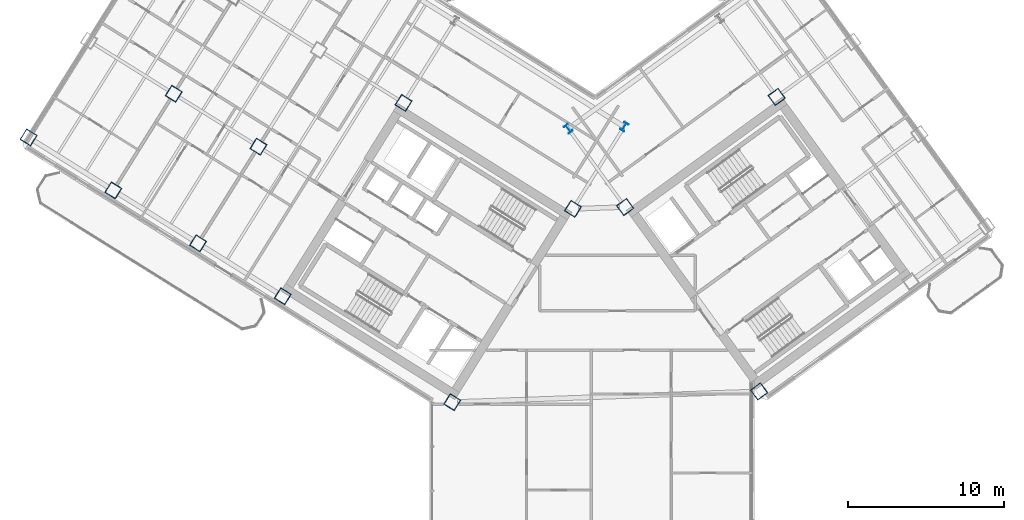
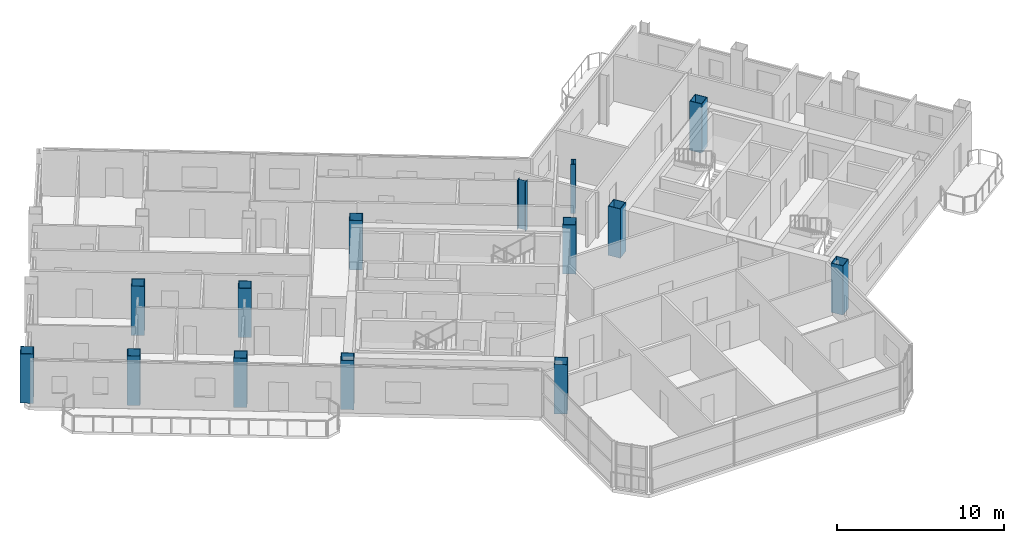
# One storey, part 1 of 21: 14 columns.
"""IFC4 building model written with IfcOpenShell, lengths in metres."""

from ifc_helpers import new_model, si_unit, direction, frame, origin, origin_2d, place, context, subcontext, project, spatial, hollow_rectangle, i_section, extrude, source, transform, mapped, material, material_profile, profile_set, type_object, element, save


model = new_model("IFC4")

# Units and contexts
model_context = context("Model", 3, precision=1e-05, world=origin(), true_north=direction((0.0, 1.0)))
body_context = subcontext(model_context, "Body", "Model", "MODEL_VIEW")
ifc_project = project(units=[si_unit("LENGTHUNIT", "METRE"), si_unit("AREAUNIT", "SQUARE_METRE"), si_unit("VOLUMEUNIT", "CUBIC_METRE"), si_unit("PLANEANGLEUNIT", "RADIAN"), si_unit("MASSUNIT", "GRAM", prefix="KILO")], contexts=[model_context])

# Site, building, storey
site_placement = place(None, origin())
site = spatial("IfcSite", under=ifc_project, at=site_placement, CompositionType="ELEMENT")
building_placement = place(site_placement, origin())
building = spatial("IfcBuilding", under=site, at=building_placement, Name="Tlacorven Tower", CompositionType="ELEMENT")
storey_placement = place(building_placement, frame((0.0, 0.0, 184.199951171875)))
storey = spatial("IfcBuildingStorey", under=building, at=storey_placement, Name="L46", CompositionType="ELEMENT", Elevation=184.199951171875)

# Columns
ifc_material = material(Name="Steel S460M", Category="steel")
ifc_material_profile_1 = material_profile(ifc_material, i_section(OverallWidth=0.300048828125, OverallDepth=0.550048828125, WebThickness=0.014892578125, FlangeThickness=0.029052734375, at=origin_2d()), Name="HEB 550")
ifc_profile_set_1 = profile_set([ifc_material_profile_1], Name="Steel S460M")
column_type_1 = type_object("IfcColumnType", Name="COL-TWR-P2", PredefinedType="COLUMN", material=ifc_profile_set_1)
shared_shape_1 = source(origin(), body_context, "Body", "SweptSolid", [
    extrude(i_section(OverallWidth=0.300048828125, OverallDepth=0.550048828125, WebThickness=0.014892578125, FlangeThickness=0.029052734375, at=origin_2d()), origin(), (0.0, 0.0, 1.0), 3.60009765625),
])
for number, where, z_axis, x_axis, name in (
    (1, (44.068359375, 29.726318359375, 0.0), (0.0, 0.0, 1.0), (-0.848048096156, 0.529919264233, 0.0), "L46 column COL-L46-W1-1"),
    (2, (40.4794921875, 29.60107421875, 0.0), (0.0, 0.0, 1.0), (0.809016994375, 0.587785252292, 0.0), "L46 column COL-L46-E1-4"),
):
    element("IfcColumn", number, at=place(storey_placement, frame(where, z_axis=z_axis, x_axis=x_axis)), inside=storey, type_object=column_type_1, Name=name, PredefinedType="COLUMN", context=body_context, shape_type="MappedRepresentation", body=[
        mapped(shared_shape_1, transform((0.0, 0.0, 0.0), scale=1.0)),
    ])
ifc_material_profile_2 = material_profile(ifc_material, hollow_rectangle(XDim=0.800048828125, YDim=0.800048828125, WallThickness=0.031982421875, at=origin_2d()), Name="BOX 800X800X32")
ifc_profile_set_2 = profile_set([ifc_material_profile_2], Name="Steel S460M")
column_type_2 = type_object("IfcColumnType", Name="COL-TWR-S3", PredefinedType="COLUMN", material=ifc_profile_set_2)
shared_shape_2 = source(origin(), body_context, "Body", "SweptSolid", [
    extrude(hollow_rectangle(XDim=0.800048828125, YDim=0.800048828125, WallThickness=0.031982421875, at=origin_2d()), origin(), (0.0, 0.0, 1.0), 3.60009765625),
])
for number, where, z_axis, x_axis, name in (
    (3, (40.782958984375, 24.468505859375, 0.0), (0.0, 0.0, 1.0), (-0.848048096156, 0.529919264233, 0.0), "L46 column COL-L46-W1-2"),
    (4, (33.046142578125, 12.0869140625, 0.0), (0.0, 0.0, 1.0), (-0.848048096156, 0.529919264233, 0.0), "L46 column COL-L46-W1-4"),
    (5, (29.927978515625, 31.25146484375, 0.0), (0.0, 0.0, 1.0), (-0.848048096156, 0.529919264233, 0.0), "L46 column COL-L46-W3-2"),
    (6, (22.191162109375, 18.869873046875, 0.0), (0.0, 0.0, 1.0), (-0.848048096156, 0.529919264233, 0.0), "L46 column COL-L46-W3-4"),
    (7, (20.632080078125, 28.4521484375, 0.0), (0.0, 0.0, 1.0), (-0.848048096156, 0.529919264233, 0.0), "L46 column COL-L46-W4-3"),
    (8, (16.763671875, 22.26123046875, 0.0), (0.0, 0.0, 1.0), (-0.848048096156, 0.529919264233, 0.0), "L46 column COL-L46-W4-4"),
    (9, (15.20458984375, 31.843505859375, 0.0), (0.0, 0.0, 1.0), (-0.848048096156, 0.529919264233, 0.0), "L46 column COL-L46-W5-3"),
    (10, (11.336181640625, 25.65283203125, 0.0), (0.0, 0.0, 1.0), (-0.848048096156, 0.529919264233, 0.0), "L46 column COL-L46-W5-4"),
    (11, (5.90869140625, 29.044189453125, 0.0), (0.0, 0.0, 1.0), (-0.848048096156, 0.529919264233, 0.0), "L46 column COL-L46-W6-4"),
    (12, (52.705322265625, 12.7734375, 0.0), (0.0, 0.0, 1.0), (0.809016994375, 0.587785252292, 0.0), "L46 column COL-L46-E1-1"),
    (13, (44.123779296875, 24.5849609375, 0.0), (0.0, 0.0, 1.0), (0.809016994375, 0.587785252292, 0.0), "L46 column COL-L46-E1-3"),
    (14, (53.83203125, 31.638427734375, 0.0), (0.0, 0.0, 1.0), (0.809016994375, 0.587785252292, 0.0), "L46 column COL-L46-E3-3"),
):
    element("IfcColumn", number, at=place(storey_placement, frame(where, z_axis=z_axis, x_axis=x_axis)), inside=storey, type_object=column_type_2, Name=name, PredefinedType="COLUMN", context=body_context, shape_type="MappedRepresentation", body=[
        mapped(shared_shape_2, transform((0.0, 0.0, 0.0), scale=1.0)),
    ])

save(model, "model.ifc")
